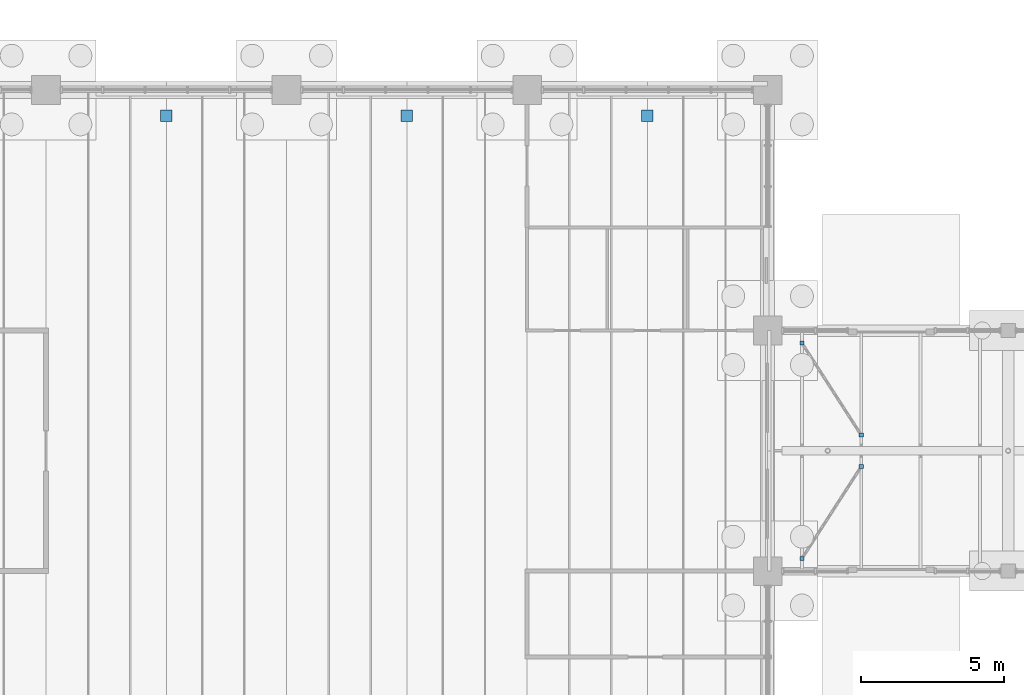
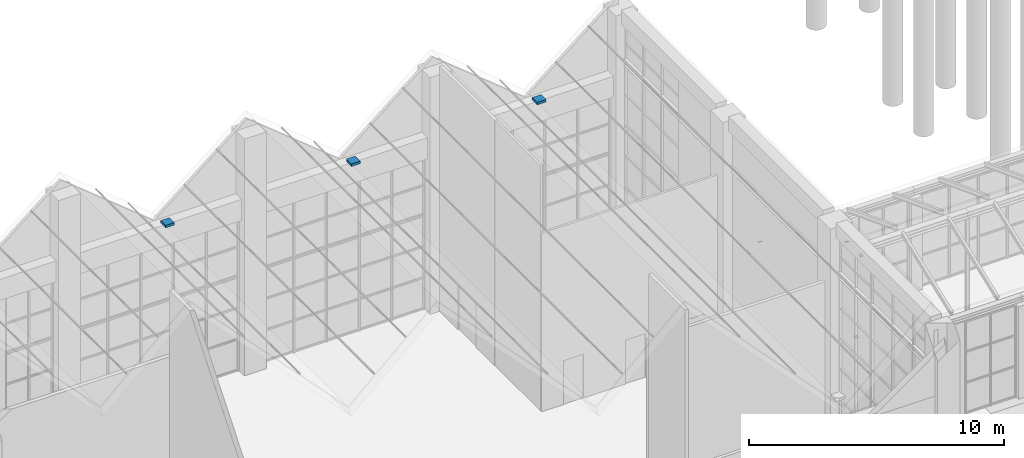
# One storey, part 129 of 138: 7 discrete accessories.
"""IFC4 building model written with IfcOpenShell, lengths in metres."""

from ifc_helpers import new_model, si_unit, direction, frame, origin, origin_2d, place, context, subcontext, project, spatial, rectangle, extrude, material, material_profile, profile_set, type_object, element, save


model = new_model("IFC4")

# Units and contexts
model_context = context("Model", 3, precision=1e-05, world=origin(), true_north=direction((0.0, 1.0)))
body_context = subcontext(model_context, "Body", "Model", "MODEL_VIEW")
ifc_project = project(units=[si_unit("LENGTHUNIT", "METRE"), si_unit("AREAUNIT", "SQUARE_METRE"), si_unit("VOLUMEUNIT", "CUBIC_METRE"), si_unit("PLANEANGLEUNIT", "RADIAN"), si_unit("MASSUNIT", "GRAM", prefix="KILO")], contexts=[model_context])

# Site, building, storey
site_placement = place(None, origin())
site = spatial("IfcSite", under=ifc_project, at=site_placement, CompositionType="ELEMENT")
building_placement = place(site_placement, origin())
building = spatial("IfcBuilding", under=site, at=building_placement, Name="Yavir Park General Hospital", CompositionType="ELEMENT")
storey_placement = place(building_placement, origin())
storey = spatial("IfcBuildingStorey", under=building, at=storey_placement, Name="L00", CompositionType="ELEMENT", Elevation=0.0)

# Discrete accessories
ifc_material_1 = material(Name="Steel S355", Category="steel")
ifc_material_profile = material_profile(ifc_material_1, rectangle(XDim=0.14990234375, YDim=0.14990234375, at=origin_2d()), Name="PL150x150")
ifc_profile_set = profile_set([ifc_material_profile], Name="Steel S355")
discrete_accessory_type_1 = type_object("IfcDiscreteAccessoryType", Name="Brace gusset plate 150 x 150 x 10", PredefinedType="BRACKET", material=ifc_profile_set)
for number, where, z_axis, x_axis, name in (
    (1, (110.39990234375, 50.8408203125, 4.9951171875), (0.0, -0.367166534736, 0.930155221331), (1.0, 0.0, 0.0), "Conc roof brace 1 gusset plate 1"),
    (2, (112.47265625, 54.05615234375, 6.219970703125), (0.0, -0.367166534736, 0.930155221331), (1.0, 0.0, 0.0), "Conc roof brace 1 gusset plate 2"),
    (3, (110.39990234375, 58.359130859375, 4.9951171875), (0.0, 0.367166534736, 0.930155221331), (-1.0, 0.0, 0.0), "Conc roof brace 3 gusset plate 1"),
    (4, (112.47265625, 55.143798828125, 6.219970703125), (0.0, 0.367166534736, 0.930155221331), (-1.0, 0.0, 0.0), "Conc roof brace 3 gusset plate 2"),
):
    element("IfcDiscreteAccessory", number, at=place(storey_placement, frame(where, z_axis=z_axis, x_axis=x_axis)), inside=storey, type_object=discrete_accessory_type_1, Name=name, PredefinedType="BRACKET", context=body_context, shape_type="SweptSolid", body=[
        extrude(rectangle(XDim=0.14990234375, YDim=0.14990234375, at=origin_2d()), origin(), (0.0, 0.0, 1.0), 0.010009765625),
    ])
ifc_material_2 = material(Name="Cast iron outlet with leaf guard")
discrete_accessory_type_2 = type_object("IfcDiscreteAccessoryType", Name="Roof outlet 400 x 400", PredefinedType="NOTDEFINED", material=ifc_material_2)
for number, where, z_axis, x_axis, name in (
    (5, (88.199951171875, 66.300048828125, 8.7939453125), (0.0, 0.0, 1.0), (1.0, 0.0, 0.0), "Roof outlet HALL-F03.2"),
    (6, (96.60009765625, 66.300048828125, 8.7939453125), (0.0, 0.0, 1.0), (1.0, 0.0, 0.0), "Roof outlet HALL-F05.2"),
    (7, (105.0, 66.300048828125, 8.7939453125), (0.0, 0.0, 1.0), (1.0, 0.0, 0.0), "Roof outlet HALL-F07.2"),
):
    element("IfcDiscreteAccessory", number, at=place(storey_placement, frame(where, z_axis=z_axis, x_axis=x_axis)), inside=storey, type_object=discrete_accessory_type_2, Name=name, PredefinedType="NOTDEFINED", context=body_context, shape_type="SweptSolid", body=[
        extrude(rectangle(XDim=0.39990234375, YDim=0.39990234375, at=origin_2d()), origin(), (0.0, 0.0, 1.0), 0.1201171875),
    ])

save(model, "model.ifc")
